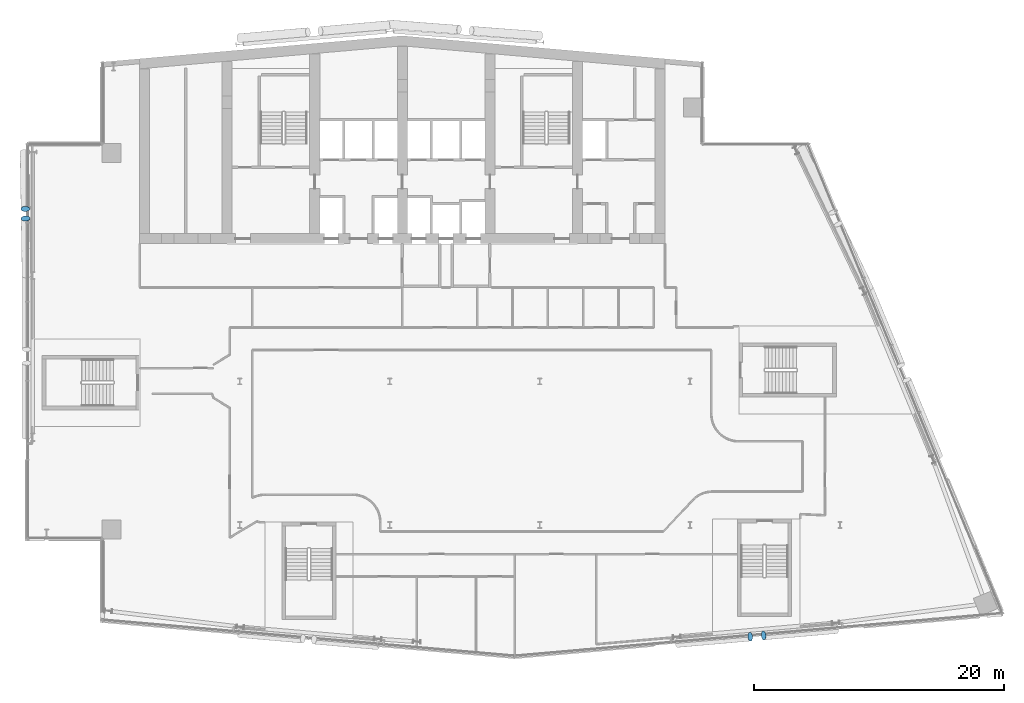
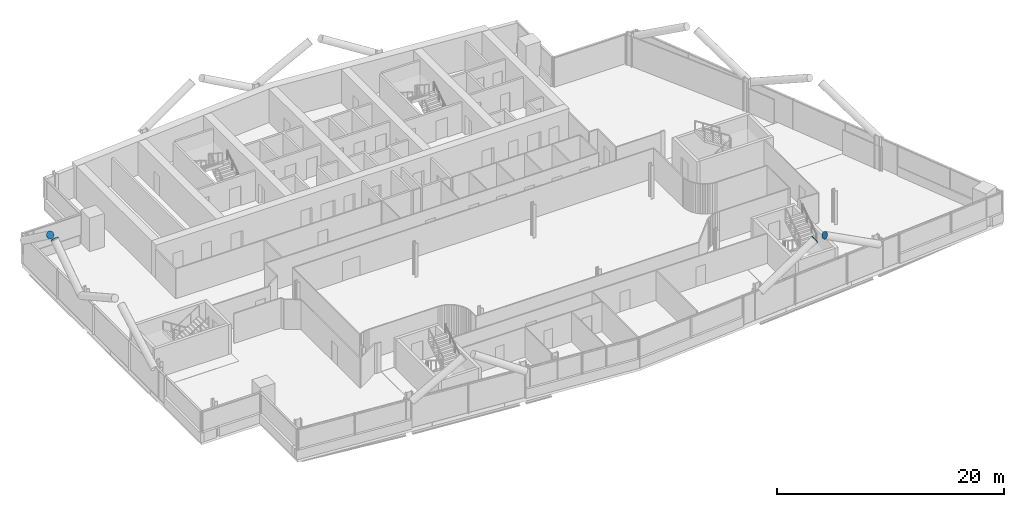
# One storey, part 24 of 29: 4 discrete accessories.
"""IFC4 building model written with IfcOpenShell, lengths in metres."""

from ifc_helpers import new_model, si_unit, direction, frame, origin, origin_2d, place, context, subcontext, project, spatial, circle, extrude, material, material_profile, profile_set, type_object, element, save


model = new_model("IFC4")

# Units and contexts
model_context = context("Model", 3, precision=1e-05, world=origin(), true_north=direction((0.0, 1.0)))
body_context = subcontext(model_context, "Body", "Model", "MODEL_VIEW")
ifc_project = project(units=[si_unit("LENGTHUNIT", "METRE"), si_unit("AREAUNIT", "SQUARE_METRE"), si_unit("VOLUMEUNIT", "CUBIC_METRE"), si_unit("PLANEANGLEUNIT", "RADIAN"), si_unit("MASSUNIT", "GRAM", prefix="KILO")], contexts=[model_context])

# Site, building, storey
site_placement = place(None, origin())
site = spatial("IfcSite", under=ifc_project, at=site_placement, CompositionType="ELEMENT")
building_placement = place(site_placement, origin())
building = spatial("IfcBuilding", under=site, at=building_placement, Name="Wharfspan Tower", CompositionType="ELEMENT")
storey_placement = place(building_placement, frame((0.0, 0.0, 162.699951)))
storey = spatial("IfcBuildingStorey", under=building, at=storey_placement, Name="L39", CompositionType="ELEMENT", Elevation=162.699951)

# Discrete accessories
ifc_material = material(Name="Steel S460NH", Category="steel")
ifc_material_profile = material_profile(ifc_material, circle(Radius=0.355469, at=origin_2d()))
ifc_profile_set = profile_set([ifc_material_profile], Name="Steel S460NH")
discrete_accessory_type = type_object("IfcDiscreteAccessoryType", Name="End plate CHS 711x36", PredefinedType="BRACKET", material=ifc_profile_set)
for number, where, z_axis, x_axis, name in (
    (1, (64.812744, 2.578613, 6.192383), (0.86155, 0.071796, 0.502571), (-0.083046, 0.99655, 0.0), "End plate CHS 711x36"),
    (2, (65.897949, 2.673584, 6.192383), (-0.86155, -0.071796, 0.502571), (0.083046, -0.99655, 0.0), "End plate CHS 711x36"),
    (3, (6.860352, 36.790771, 6.214844), (0.0, -0.816968, 0.576683), (1.0, 0.0, 0.0), "End plate CHS 711x36"),
):
    element("IfcDiscreteAccessory", number, at=place(storey_placement, frame(where, z_axis=z_axis, x_axis=x_axis)), inside=storey, type_object=discrete_accessory_type, Name=name, PredefinedType="BRACKET", context=body_context, shape_type="SweptSolid", body=[
        extrude(circle(Radius=0.355469, at=origin_2d()), origin(), (0.0, 0.0, 1.0), 0.010254),
    ])
discrete_accessory_placement = place(storey_placement, frame((6.872803, 36.009033, 6.214844), z_axis=(-0.0245, 0.808493, 0.587995), x_axis=(-0.999537, -0.03029, 1e-06)))
element("IfcDiscreteAccessory", 4, at=discrete_accessory_placement, inside=storey, type_object=discrete_accessory_type, Name="End plate CHS 711x36", PredefinedType="BRACKET", context=body_context, shape_type="SweptSolid", body=[
    extrude(circle(Radius=0.355469, at=origin_2d()), origin(), (0.0, 0.0, 1.0), 0.01001),
])

save(model, "model.ifc")
